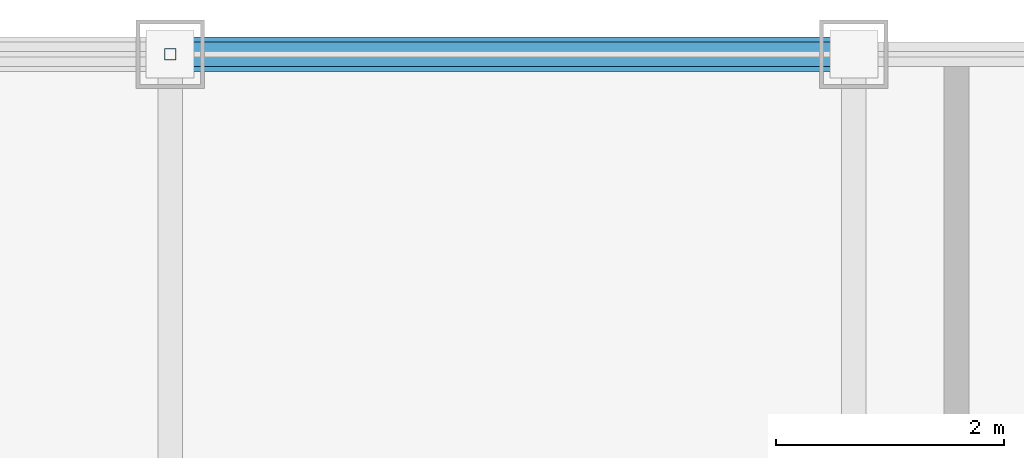
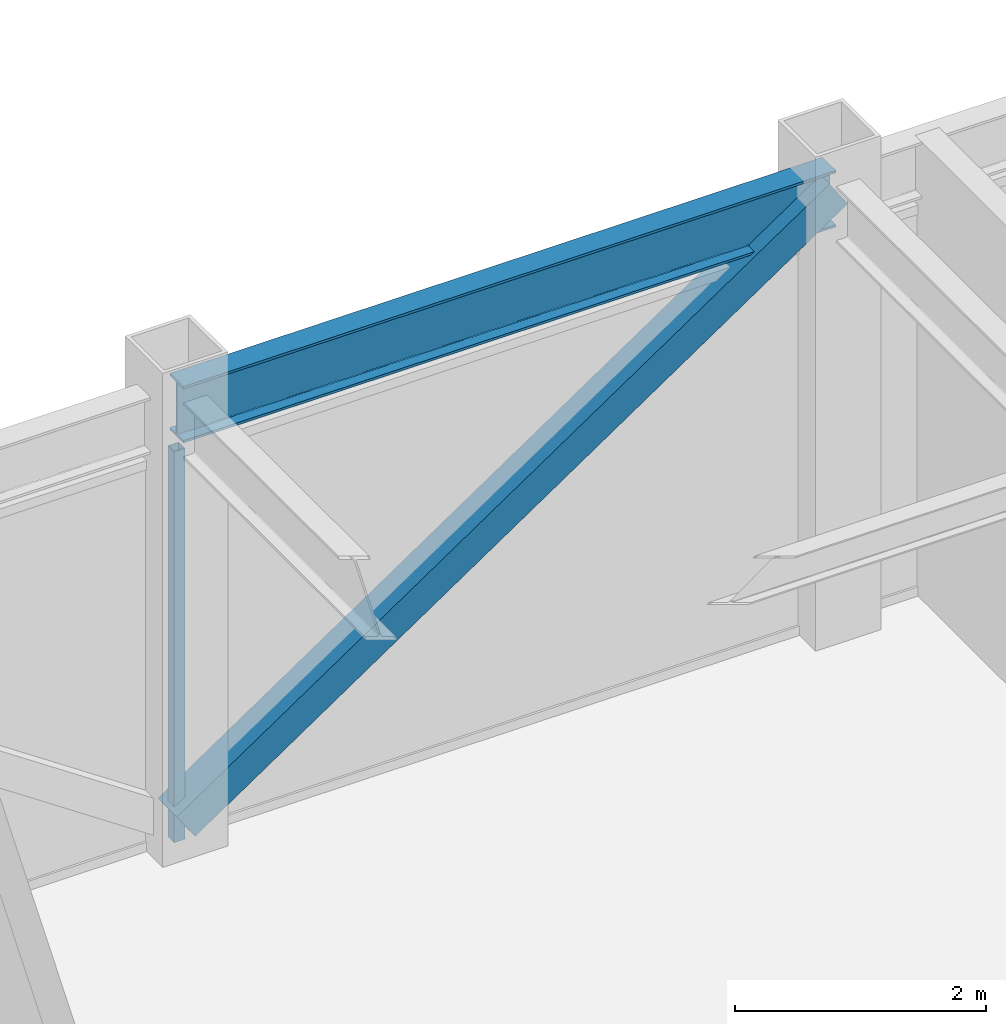
# One storey, part 18 of 27: 2 members, 1 beam, 1 element without a shape of its own.
"""IFC4 building model written with IfcOpenShell, lengths in metres."""

from ifc_helpers import new_model, si_unit, direction, frame, origin, origin_2d, place, context, subcontext, project, spatial, hollow_rectangle, i_section, extrude, source, transform, mapped, material, material_profile, profile_set, type_object, element, aggregate, save


model = new_model("IFC4")

# Units and contexts
model_context = context("Model", 3, precision=1e-05, world=origin(), true_north=direction((0.0, 1.0)))
body_context = subcontext(model_context, "Body", "Model", "MODEL_VIEW")
ifc_project = project(units=[si_unit("LENGTHUNIT", "METRE"), si_unit("AREAUNIT", "SQUARE_METRE"), si_unit("VOLUMEUNIT", "CUBIC_METRE"), si_unit("PLANEANGLEUNIT", "RADIAN"), si_unit("MASSUNIT", "GRAM", prefix="KILO")], contexts=[model_context])

# Site, building, storey
site_placement = place(None, origin())
site = spatial("IfcSite", under=ifc_project, at=site_placement, CompositionType="ELEMENT")
building_placement = place(site_placement, origin())
building = spatial("IfcBuilding", under=site, at=building_placement, Name="Khorayat Bourse Tower", CompositionType="ELEMENT")
storey_placement = place(building_placement, frame((0.0, 0.0, 389.89990234375)))
storey = spatial("IfcBuildingStorey", under=building, at=storey_placement, Name="L92", CompositionType="ELEMENT", Elevation=389.89990234375)

# Beam
ifc_material_1 = material(Name="Steel ASTM A992 Grade 50", Category="steel")
ifc_material_profile_1 = material_profile(ifc_material_1, i_section(OverallWidth=0.214111328125, OverallDepth=0.549072265625, WebThickness=0.0146484375, FlangeThickness=0.023681640625, FilletRadius=0.013916015625, at=origin_2d()), Name="W530X138")
ifc_profile_set_1 = profile_set([ifc_material_profile_1], Name="Steel ASTM A992 Grade 50")
beam_type = type_object("IfcBeamType", Name="BM-SPAN-530", PredefinedType="SPANDREL", material=ifc_profile_set_1)
shared_shape_1 = source(origin(), body_context, "Body", "SweptSolid", [
    extrude(i_section(OverallWidth=0.214111328125, OverallDepth=0.549072265625, WebThickness=0.0146484375, FlangeThickness=0.023681640625, FilletRadius=0.013916015625, at=origin_2d()), origin(), (0.0, 0.0, 1.0), 6.0),
])
beam_placement = place(storey_placement, frame((0.0, 24.0, 4.175537109375), z_axis=(1.0, 0.0, 0.0), x_axis=(0.0, 1.0, 0.0)))
element("IfcBeam", 1, at=beam_placement, inside=storey, type_object=beam_type, Name="L92 BM-SPAN-530 BM-L92-SPN-042", PredefinedType="SPANDREL", context=body_context, shape_type="MappedRepresentation", body=[
    mapped(shared_shape_1, transform((0.0, 0.0, 0.0), scale=1.0)),
])

# Member
ifc_material_2 = material(Name="Steel EN 10025-2 S355J2", Category="steel")
ifc_material_profile_2 = material_profile(ifc_material_2, hollow_rectangle(XDim=0.300048828125, YDim=0.300048828125, WallThickness=0.01611328125, at=origin_2d()), Name="HSS 300x300x16")
ifc_profile_set_2 = profile_set([ifc_material_profile_2], Name="Steel EN 10025-2 S355J2")
member_type_1 = type_object("IfcMemberType", Name="MBR-CROWN-300", PredefinedType="USERDEFINED", material=ifc_profile_set_2)
shared_shape_2 = source(origin(), body_context, "Body", "SweptSolid", [
    extrude(hollow_rectangle(XDim=0.300048828125, YDim=0.300048828125, WallThickness=0.01611328125, at=origin_2d()), origin(), (0.0, 0.0, 1.0), 7.23876953125),
])
member_1_placement = place(storey_placement, frame((0.0, 24.0, 0.2001953125), z_axis=(0.828861185526, 0.0, 0.559454319072), x_axis=(0.0, 1.0, 0.0)))
element("IfcMember", 2, at=member_1_placement, inside=storey, type_object=member_type_1, Name="L92 Lantern Crown Frame Member 07", ObjectType="CROWN FRAME", PredefinedType="USERDEFINED", context=body_context, shape_type="MappedRepresentation", body=[
    mapped(shared_shape_2, transform((0.0, 0.0, 0.0), scale=1.0)),
])

# Curtain wall, member
ifc_material_3 = material(Name="Aluminium EN AW-6063 T6", Category="aluminium")
curtain_wall_type = type_object("IfcCurtainWallType", Name="CW-SYS-07", PredefinedType="NOTDEFINED", material=ifc_material_3)
curtain_wall_placement = place(storey_placement, origin())
curtain_wall = element("IfcCurtainWall", 3, at=curtain_wall_placement, inside=storey, type_object=curtain_wall_type, Name="L92 Curtain Wall CW-L92-N1", PredefinedType="NOTDEFINED")
ifc_material_profile_3 = material_profile(ifc_material_3, hollow_rectangle(XDim=0.10009765625, YDim=0.10009765625, WallThickness=0.0048828125, at=origin_2d()), Name="ALU 100x100x5")
ifc_profile_set_3 = profile_set([ifc_material_profile_3], Name="Aluminium EN AW-6063 T6")
member_type_2 = type_object("IfcMemberType", Name="CWM-LANTERN-100", PredefinedType="MULLION", material=ifc_profile_set_3)
shared_shape_3 = source(origin(), body_context, "Body", "SweptSolid", [
    extrude(hollow_rectangle(XDim=0.10009765625, YDim=0.10009765625, WallThickness=0.0048828125, at=origin_2d()), origin(), (0.0, 0.0, 1.0), 3.800048828125),
])
member_2_placement = place(storey_placement, frame((0.0, 24.0, 0.0), z_axis=(0.0, 0.0, 1.0), x_axis=(0.0, 1.0, 0.0)))
member_2 = element("IfcMember", 4, at=member_2_placement, type_object=member_type_2, Name="CW-L92-N1 Vertical Mullion 2", PredefinedType="MULLION", context=body_context, shape_type="MappedRepresentation", body=[
    mapped(shared_shape_3, transform((0.0, 0.0, 0.0), scale=1.0)),
])
aggregate(curtain_wall, [member_2])

save(model, "model.ifc")
